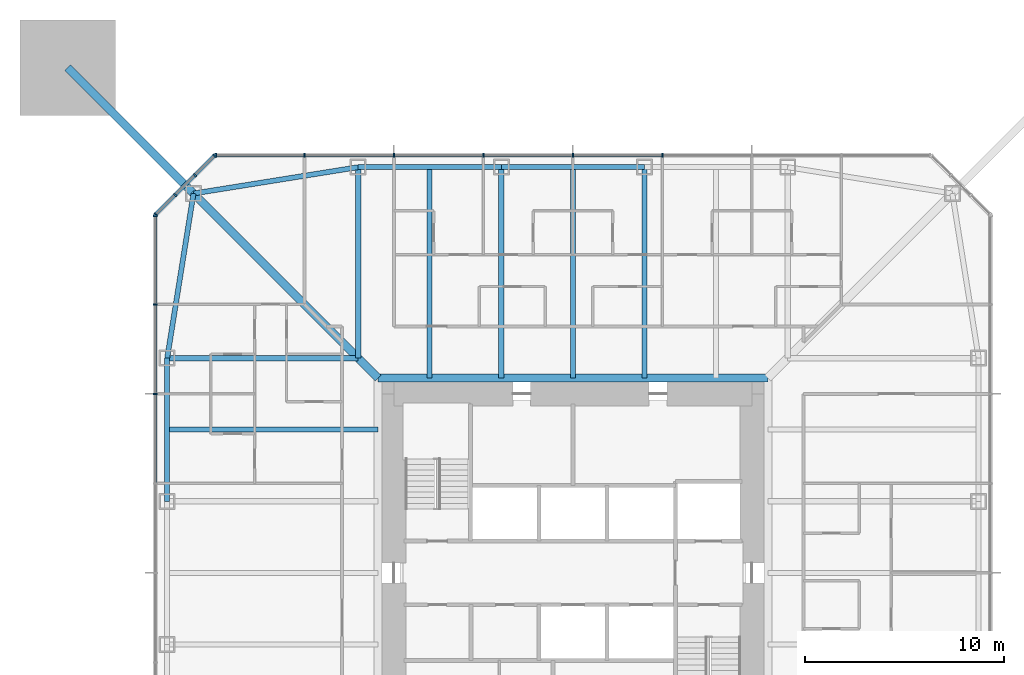
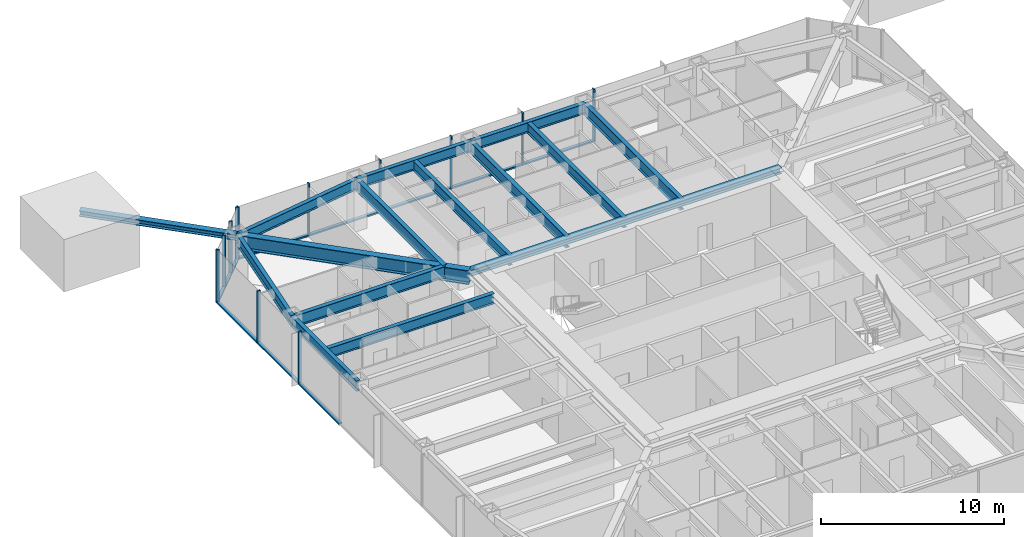
# One storey, part 4 of 23: 25 members, 14 beams, 3 elements without a shape of their own.
"""IFC4 building model written with IfcOpenShell, lengths in metres."""

from ifc_helpers import new_model, si_unit, direction, frame, origin, origin_2d, place, context, subcontext, project, spatial, rectangle, i_section, extrude, material, material_profile, profile_set, type_object, element, aggregate, save


model = new_model("IFC4")

# Units and contexts
model_context = context("Model", 3, precision=1e-05, world=origin(), true_north=direction((0.0, 1.0)))
body_context = subcontext(model_context, "Body", "Model", "MODEL_VIEW")
ifc_project = project(units=[si_unit("LENGTHUNIT", "METRE"), si_unit("AREAUNIT", "SQUARE_METRE"), si_unit("VOLUMEUNIT", "CUBIC_METRE"), si_unit("PLANEANGLEUNIT", "RADIAN"), si_unit("MASSUNIT", "GRAM", prefix="KILO")], contexts=[model_context])

# Site, building, storey
site_placement = place(None, origin())
site = spatial("IfcSite", under=ifc_project, at=site_placement, CompositionType="ELEMENT")
building_placement = place(site_placement, origin())
building = spatial("IfcBuilding", under=site, at=building_placement, Name="Iwan Alto Co-Living Towers", CompositionType="ELEMENT")
storey_placement = place(building_placement, frame((0.0, 0.0, 122.5)))
storey = spatial("IfcBuildingStorey", under=building, at=storey_placement, Name="L33", CompositionType="ELEMENT", Elevation=122.5)

# Curtain wall, members
ifc_material_1 = material(Name="Bronze aluminium unitised frame", Category="aluminium")
curtain_wall_type_1 = type_object("IfcCurtainWallType", Name="CURTAIN WALL CW-A", PredefinedType="NOTDEFINED", material=ifc_material_1)
curtain_wall_1_placement = place(storey_placement, origin())
curtain_wall_1 = element("IfcCurtainWall", 1, at=curtain_wall_1_placement, inside=storey, type_object=curtain_wall_type_1, Name="T1 curtain wall N L33", PredefinedType="NOTDEFINED")
ifc_material_2 = material(Name="Aluminium 6063-T6 bronze anodised", Category="aluminium")
ifc_material_profile_1 = material_profile(ifc_material_2, rectangle(XDim=0.199951171875, YDim=0.080078125, at=origin_2d()), Name="AL 80X200")
ifc_profile_set_1 = profile_set([ifc_material_profile_1], Name="Aluminium 6063-T6 bronze anodised")
member_type_1 = type_object("IfcMemberType", Name="CW-A MULLION 80X200", PredefinedType="MULLION", material=ifc_profile_set_1)
member_1_placement = place(storey_placement, frame((4.5, 21.0, 0.0), z_axis=(0.0, 0.0, 1.0), x_axis=(0.0, -1.0, 0.0)))
member_1 = element("IfcMember", 2, at=member_1_placement, type_object=member_type_1, Name="CW-A mullion 4", PredefinedType="MULLION", context=body_context, shape_type="SweptSolid", body=[
    extrude(rectangle(XDim=0.199951171875, YDim=0.080078125, at=origin_2d()), origin(), (0.0, 0.0, 1.0), 3.5),
])
member_2_placement = place(storey_placement, frame((0.0, 21.0, 0.0), z_axis=(0.0, 0.0, 1.0), x_axis=(0.0, -1.0, 0.0)))
member_2 = element("IfcMember", 3, at=member_2_placement, type_object=member_type_1, Name="CW-A mullion 5", PredefinedType="MULLION", context=body_context, shape_type="SweptSolid", body=[
    extrude(rectangle(XDim=0.199951171875, YDim=0.080078125, at=origin_2d()), origin(), (0.0, 0.0, 1.0), 3.5),
])
member_3_placement = place(storey_placement, frame((-4.5, 21.0, 0.0), z_axis=(0.0, 0.0, 1.0), x_axis=(0.0, -1.0, 0.0)))
member_3 = element("IfcMember", 4, at=member_3_placement, type_object=member_type_1, Name="CW-A mullion 6", PredefinedType="MULLION", context=body_context, shape_type="SweptSolid", body=[
    extrude(rectangle(XDim=0.199951171875, YDim=0.080078125, at=origin_2d()), origin(), (0.0, 0.0, 1.0), 3.5),
])
member_4_placement = place(storey_placement, frame((-9.0, 21.0, 0.0), z_axis=(0.0, 0.0, 1.0), x_axis=(0.0, -1.0, 0.0)))
member_4 = element("IfcMember", 5, at=member_4_placement, type_object=member_type_1, Name="CW-A mullion 7", PredefinedType="MULLION", context=body_context, shape_type="SweptSolid", body=[
    extrude(rectangle(XDim=0.199951171875, YDim=0.080078125, at=origin_2d()), origin(), (0.0, 0.0, 1.0), 3.5),
])
member_5_placement = place(storey_placement, frame((-13.5, 21.0, 0.0), z_axis=(0.0, 0.0, 1.0), x_axis=(0.0, -1.0, 0.0)))
member_5 = element("IfcMember", 6, at=member_5_placement, type_object=member_type_1, Name="CW-A mullion 8", PredefinedType="MULLION", context=body_context, shape_type="SweptSolid", body=[
    extrude(rectangle(XDim=0.199951171875, YDim=0.080078125, at=origin_2d()), origin(), (0.0, 0.0, 1.0), 3.5),
])
member_6_placement = place(storey_placement, frame((-17.9599609375, 21.0, 0.0), z_axis=(0.0, 0.0, 1.0), x_axis=(0.0, -1.0, 0.0)))
member_6 = element("IfcMember", 7, at=member_6_placement, type_object=member_type_1, Name="CW-A mullion 9", PredefinedType="MULLION", context=body_context, shape_type="SweptSolid", body=[
    extrude(rectangle(XDim=0.199951171875, YDim=0.080078125, at=origin_2d()), origin(), (0.0, 0.0, 1.0), 3.5),
])

curtain_wall_2_placement = place(storey_placement, origin())
curtain_wall_2 = element("IfcCurtainWall", 8, at=curtain_wall_2_placement, inside=storey, type_object=curtain_wall_type_1, Name="T1 curtain wall W L33", PredefinedType="NOTDEFINED")
member_7_placement = place(storey_placement, frame((-21.0, 17.9599609375, 0.0), z_axis=(0.0, 0.0, 1.0), x_axis=(1.0, 0.0, 0.0)))
member_7 = element("IfcMember", 9, at=member_7_placement, type_object=member_type_1, Name="CW-A mullion 1", PredefinedType="MULLION", context=body_context, shape_type="SweptSolid", body=[
    extrude(rectangle(XDim=0.199951171875, YDim=0.080078125, at=origin_2d()), origin(), (0.0, 0.0, 1.0), 3.5),
])
member_8_placement = place(storey_placement, frame((-21.0, 13.5, 0.0), z_axis=(0.0, 0.0, 1.0), x_axis=(1.0, 0.0, 0.0)))
member_8 = element("IfcMember", 10, at=member_8_placement, type_object=member_type_1, Name="CW-A mullion 2", PredefinedType="MULLION", context=body_context, shape_type="SweptSolid", body=[
    extrude(rectangle(XDim=0.199951171875, YDim=0.080078125, at=origin_2d()), origin(), (0.0, 0.0, 1.0), 3.5),
])
member_9_placement = place(storey_placement, frame((-21.0, 9.0, 0.0), z_axis=(0.0, 0.0, 1.0), x_axis=(1.0, 0.0, 0.0)))
member_9 = element("IfcMember", 11, at=member_9_placement, type_object=member_type_1, Name="CW-A mullion 3", PredefinedType="MULLION", context=body_context, shape_type="SweptSolid", body=[
    extrude(rectangle(XDim=0.199951171875, YDim=0.080078125, at=origin_2d()), origin(), (0.0, 0.0, 1.0), 3.5),
])

# Member
ifc_material_3 = material(Name="Aluminium 6063-T6 bronze anodised", Category="aluminium")
ifc_material_profile_2 = material_profile(ifc_material_3, rectangle(XDim=0.199951171875, YDim=0.10009765625, at=origin_2d()), Name="AL 200X100")
ifc_profile_set_2 = profile_set([ifc_material_profile_2], Name="Aluminium 6063-T6 bronze anodised")
member_type_2 = type_object("IfcMemberType", Name="CW-A TRANSOM 200X100", PredefinedType="USERDEFINED", material=ifc_profile_set_2)
member_10_placement = place(storey_placement, frame((4.4599609375, 21.0, 0.050048828125), z_axis=(-1.0, 0.0, 0.0), x_axis=(0.0, -1.0, 0.0)))
member_10 = element("IfcMember", 12, at=member_10_placement, type_object=member_type_2, Name="CW-A transom 4.1", ObjectType="TRANSOM", PredefinedType="USERDEFINED", context=body_context, shape_type="SweptSolid", body=[
    extrude(rectangle(XDim=0.199951171875, YDim=0.10009765625, at=origin_2d()), origin(), (0.0, 0.0, 1.0), 4.419921875),
])

member_11_placement = place(storey_placement, frame((-0.0400390625, 21.0, 0.050048828125), z_axis=(-1.0, 0.0, 0.0), x_axis=(0.0, -1.0, 0.0)))
member_11 = element("IfcMember", 13, at=member_11_placement, type_object=member_type_2, Name="CW-A transom 5.1", ObjectType="TRANSOM", PredefinedType="USERDEFINED", context=body_context, shape_type="SweptSolid", body=[
    extrude(rectangle(XDim=0.199951171875, YDim=0.10009765625, at=origin_2d()), origin(), (0.0, 0.0, 1.0), 4.419921875),
])

member_12_placement = place(storey_placement, frame((-4.5400390625, 21.0, 0.050048828125), z_axis=(-1.0, 0.0, 0.0), x_axis=(0.0, -1.0, 0.0)))
member_12 = element("IfcMember", 14, at=member_12_placement, type_object=member_type_2, Name="CW-A transom 6.1", ObjectType="TRANSOM", PredefinedType="USERDEFINED", context=body_context, shape_type="SweptSolid", body=[
    extrude(rectangle(XDim=0.199951171875, YDim=0.10009765625, at=origin_2d()), origin(), (0.0, 0.0, 1.0), 4.419921875),
])

member_13_placement = place(storey_placement, frame((-9.0400390625, 21.0, 0.050048828125), z_axis=(-1.0, 0.0, 0.0), x_axis=(0.0, -1.0, 0.0)))
member_13 = element("IfcMember", 15, at=member_13_placement, type_object=member_type_2, Name="CW-A transom 7.1", ObjectType="TRANSOM", PredefinedType="USERDEFINED", context=body_context, shape_type="SweptSolid", body=[
    extrude(rectangle(XDim=0.199951171875, YDim=0.10009765625, at=origin_2d()), origin(), (0.0, 0.0, 1.0), 4.419921875),
])

member_14_placement = place(storey_placement, frame((-13.5400390625, 21.0, 0.050048828125), z_axis=(-1.0, 0.0, 0.0), x_axis=(0.0, -1.0, 0.0)))
member_14 = element("IfcMember", 16, at=member_14_placement, type_object=member_type_2, Name="CW-A transom 8.1", ObjectType="TRANSOM", PredefinedType="USERDEFINED", context=body_context, shape_type="SweptSolid", body=[
    extrude(rectangle(XDim=0.199951171875, YDim=0.10009765625, at=origin_2d()), origin(), (0.0, 0.0, 1.0), 4.3798828125),
])

aggregate(curtain_wall_1, [member_1, member_2, member_3, member_4, member_5, member_6, member_10, member_11, member_12, member_13, member_14])

member_15_placement = place(storey_placement, frame((-21.0, 17.919921875, 0.050048828125), z_axis=(0.0, -1.0, 0.0), x_axis=(1.0, 0.0, 0.0)))
member_15 = element("IfcMember", 17, at=member_15_placement, type_object=member_type_2, Name="CW-A transom 1.1", ObjectType="TRANSOM", PredefinedType="USERDEFINED", context=body_context, shape_type="SweptSolid", body=[
    extrude(rectangle(XDim=0.199951171875, YDim=0.10009765625, at=origin_2d()), origin(), (0.0, 0.0, 1.0), 4.3798828125),
])

member_16_placement = place(storey_placement, frame((-21.0, 13.4599609375, 0.050048828125), z_axis=(0.0, -1.0, 0.0), x_axis=(1.0, 0.0, 0.0)))
member_16 = element("IfcMember", 18, at=member_16_placement, type_object=member_type_2, Name="CW-A transom 2.1", ObjectType="TRANSOM", PredefinedType="USERDEFINED", context=body_context, shape_type="SweptSolid", body=[
    extrude(rectangle(XDim=0.199951171875, YDim=0.10009765625, at=origin_2d()), origin(), (0.0, 0.0, 1.0), 4.419921875),
])

member_17_placement = place(storey_placement, frame((-21.0, 8.9599609375, 0.050048828125), z_axis=(0.0, -1.0, 0.0), x_axis=(1.0, 0.0, 0.0)))
member_17 = element("IfcMember", 19, at=member_17_placement, type_object=member_type_2, Name="CW-A transom 3.1", ObjectType="TRANSOM", PredefinedType="USERDEFINED", context=body_context, shape_type="SweptSolid", body=[
    extrude(rectangle(XDim=0.199951171875, YDim=0.10009765625, at=origin_2d()), origin(), (0.0, 0.0, 1.0), 4.419921875),
])

aggregate(curtain_wall_2, [member_7, member_8, member_9, member_15, member_16, member_17])

# Curtain wall, members
ifc_material_4 = material(Name="Bronze aluminium unitised frame", Category="aluminium")
curtain_wall_type_2 = type_object("IfcCurtainWallType", Name="CURTAIN WALL CW-B", PredefinedType="NOTDEFINED", material=ifc_material_4)
curtain_wall_3_placement = place(storey_placement, origin())
curtain_wall_3 = element("IfcCurtainWall", 20, at=curtain_wall_3_placement, inside=storey, type_object=curtain_wall_type_2, Name="T1 chamfer curtain wall NW L33", PredefinedType="NOTDEFINED")
ifc_material_5 = material(Name="Aluminium 6063-T6 bronze anodised", Category="aluminium")
ifc_material_profile_3 = material_profile(ifc_material_5, rectangle(XDim=0.199951171875, YDim=0.080078125, at=origin_2d()), Name="AL 80X200")
ifc_profile_set_3 = profile_set([ifc_material_profile_3], Name="Aluminium 6063-T6 bronze anodised")
member_type_3 = type_object("IfcMemberType", Name="CW-B MULLION 80X200", PredefinedType="MULLION", material=ifc_profile_set_3)
member_18_placement = place(storey_placement, frame((-18.0283203125, 20.9716796875, 0.0), z_axis=(0.0, 0.0, 1.0), x_axis=(0.707106781187, -0.707106781187, 0.0)))
member_18 = element("IfcMember", 21, at=member_18_placement, type_object=member_type_3, Name="CW-B mullion 1", PredefinedType="MULLION", context=body_context, shape_type="SweptSolid", body=[
    extrude(rectangle(XDim=0.199951171875, YDim=0.080078125, at=origin_2d()), origin(), (0.0, 0.0, 1.0), 3.5),
])
member_19_placement = place(storey_placement, frame((-19.0, 20.0, 0.0), z_axis=(0.0, 0.0, 1.0), x_axis=(0.707106781187, -0.707106781187, 0.0)))
member_19 = element("IfcMember", 22, at=member_19_placement, type_object=member_type_3, Name="CW-B mullion 2", PredefinedType="MULLION", context=body_context, shape_type="SweptSolid", body=[
    extrude(rectangle(XDim=0.199951171875, YDim=0.080078125, at=origin_2d()), origin(), (0.0, 0.0, 1.0), 3.5),
])
member_20_placement = place(storey_placement, frame((-20.0, 19.0, 0.0), z_axis=(0.0, 0.0, 1.0), x_axis=(0.707106781187, -0.707106781187, 0.0)))
member_20 = element("IfcMember", 23, at=member_20_placement, type_object=member_type_3, Name="CW-B mullion 3", PredefinedType="MULLION", context=body_context, shape_type="SweptSolid", body=[
    extrude(rectangle(XDim=0.199951171875, YDim=0.080078125, at=origin_2d()), origin(), (0.0, 0.0, 1.0), 3.5),
])
member_21_placement = place(storey_placement, frame((-20.9716796875, 18.0283203125, 0.0), z_axis=(0.0, 0.0, 1.0), x_axis=(0.707106781187, -0.707106781187, 0.0)))
member_21 = element("IfcMember", 24, at=member_21_placement, type_object=member_type_3, Name="CW-B mullion 4", PredefinedType="MULLION", context=body_context, shape_type="SweptSolid", body=[
    extrude(rectangle(XDim=0.199951171875, YDim=0.080078125, at=origin_2d()), origin(), (0.0, 0.0, 1.0), 3.5),
])
ifc_material_6 = material(Name="Aluminium 6063-T6 bronze anodised", Category="aluminium")
ifc_material_profile_4 = material_profile(ifc_material_6, rectangle(XDim=0.199951171875, YDim=0.10009765625, at=origin_2d()), Name="AL 200X100")
ifc_profile_set_4 = profile_set([ifc_material_profile_4], Name="Aluminium 6063-T6 bronze anodised")
member_type_4 = type_object("IfcMemberType", Name="CW-B TRANSOM 200X100", PredefinedType="USERDEFINED", material=ifc_profile_set_4)
member_22_placement = place(storey_placement, frame((-18.056640625, 20.943359375, 0.050048828125), z_axis=(-0.707106781187, -0.707106781187, 0.0), x_axis=(0.707106781187, -0.707106781187, 0.0)))
member_22 = element("IfcMember", 25, at=member_22_placement, type_object=member_type_4, Name="CW-B transom 1.1", ObjectType="TRANSOM", PredefinedType="USERDEFINED", context=body_context, shape_type="SweptSolid", body=[
    extrude(rectangle(XDim=0.199951171875, YDim=0.10009765625, at=origin_2d()), origin(), (0.0, 0.0, 1.0), 1.2939453125),
])
member_23_placement = place(storey_placement, frame((-19.0283203125, 19.9716796875, 0.050048828125), z_axis=(-0.707106781187, -0.707106781187, 0.0), x_axis=(0.707106781187, -0.707106781187, 0.0)))
member_23 = element("IfcMember", 26, at=member_23_placement, type_object=member_type_4, Name="CW-B transom 2.1", ObjectType="TRANSOM", PredefinedType="USERDEFINED", context=body_context, shape_type="SweptSolid", body=[
    extrude(rectangle(XDim=0.199951171875, YDim=0.10009765625, at=origin_2d()), origin(), (0.0, 0.0, 1.0), 1.334228515625),
])
member_24_placement = place(storey_placement, frame((-20.0283203125, 18.9716796875, 0.050048828125), z_axis=(-0.707106781187, -0.707106781187, 0.0), x_axis=(0.707106781187, -0.707106781187, 0.0)))
member_24 = element("IfcMember", 27, at=member_24_placement, type_object=member_type_4, Name="CW-B transom 3.1", ObjectType="TRANSOM", PredefinedType="USERDEFINED", context=body_context, shape_type="SweptSolid", body=[
    extrude(rectangle(XDim=0.199951171875, YDim=0.10009765625, at=origin_2d()), origin(), (0.0, 0.0, 1.0), 1.2939453125),
])
aggregate(curtain_wall_3, [member_18, member_19, member_20, member_21, member_22, member_23, member_24])

# Beams
ifc_material_7 = material(Name="Steel ASTM A992 Gr 50", Category="steel")
ifc_material_profile_5 = material_profile(ifc_material_7, i_section(OverallWidth=0.398681640625, OverallDepth=0.385986328125, WebThickness=0.02099609375, FlangeThickness=0.033203125, at=origin_2d()), Name="W14X176")
ifc_profile_set_5 = profile_set([ifc_material_profile_5], Name="Steel ASTM A992 Gr 50")
beam_type_1 = type_object("IfcBeamType", Name="T1 CORE LEDGER BEAM W14X176", PredefinedType="BEAM", material=ifc_profile_set_5)
beam_1_placement = place(storey_placement, frame((9.79931640625, 9.79931640625, 3.076904296875), z_axis=(-1.0, 0.0, 0.0), x_axis=(0.0, -1.0, 0.0)))
element("IfcBeam", 28, at=beam_1_placement, inside=storey, type_object=beam_type_1, Name="T1 core ledger beam N L34", PredefinedType="BEAM", context=body_context, shape_type="SweptSolid", body=[
    extrude(i_section(OverallWidth=0.398681640625, OverallDepth=0.385986328125, WebThickness=0.02099609375, FlangeThickness=0.033203125, at=origin_2d()), origin(), (0.0, 0.0, 1.0), 19.5986328125),
])
ifc_material_8 = material(Name="Steel ASTM A992 Gr 50", Category="steel")
ifc_material_profile_6 = material_profile(ifc_material_8, i_section(OverallWidth=0.419189453125, OverallDepth=0.927001953125, WebThickness=0.019287109375, FlangeThickness=0.031982421875, at=origin_2d()), Name="W36X231")
ifc_profile_set_6 = profile_set([ifc_material_profile_6], Name="Steel ASTM A992 Gr 50")
beam_type_2 = type_object("IfcBeamType", Name="T1 CORNER GIRDER W36X231", PredefinedType="BEAM", material=ifc_profile_set_6)
beam_2_placement = place(storey_placement, frame((-19.07568359375, 19.07568359375, 2.806396484375), z_axis=(0.707106781187, -0.707106781187, 0.0), x_axis=(0.707106781187, 0.707106781187, 0.0)))
element("IfcBeam", 29, at=beam_2_placement, inside=storey, type_object=beam_type_2, Name="T1 corner girder CNW L34", PredefinedType="BEAM", context=body_context, shape_type="SweptSolid", body=[
    extrude(i_section(OverallWidth=0.419189453125, OverallDepth=0.927001953125, WebThickness=0.019287109375, FlangeThickness=0.031982421875, at=origin_2d()), origin(), (0.0, 0.0, 1.0), 13.11865234375),
])
ifc_material_9 = material(Name="Steel ASTM A992 Gr 50", Category="steel")
ifc_material_profile_7 = material_profile(ifc_material_9, i_section(OverallWidth=0.25390625, OverallDepth=0.683349609375, WebThickness=0.012451171875, FlangeThickness=0.018798828125, at=origin_2d()), Name="W27X94")
ifc_profile_set_7 = profile_set([ifc_material_profile_7], Name="Steel ASTM A992 Gr 50")
beam_type_3 = type_object("IfcBeamType", Name="T1 EDGE BEAM W27X94", PredefinedType="BEAM", material=ifc_profile_set_7)
beam_3_placement = place(storey_placement, frame((3.60009765625, 20.39990234375, 2.928466796875), z_axis=(-1.0, 0.0, 0.0), x_axis=(0.0, -1.0, 0.0)))
element("IfcBeam", 30, at=beam_3_placement, inside=storey, type_object=beam_type_3, Name="T1 edge beam N2 L34", PredefinedType="BEAM", context=body_context, shape_type="SweptSolid", body=[
    extrude(i_section(OverallWidth=0.25390625, OverallDepth=0.683349609375, WebThickness=0.012451171875, FlangeThickness=0.018798828125, at=origin_2d()), origin(), (0.0, 0.0, 1.0), 7.2001953125),
])
beam_4_placement = place(storey_placement, frame((-3.60009765625, 20.39990234375, 2.928466796875), z_axis=(-1.0, 0.0, 0.0), x_axis=(0.0, -1.0, 0.0)))
element("IfcBeam", 31, at=beam_4_placement, inside=storey, type_object=beam_type_3, Name="T1 edge beam N3 L34", PredefinedType="BEAM", context=body_context, shape_type="SweptSolid", body=[
    extrude(i_section(OverallWidth=0.25390625, OverallDepth=0.683349609375, WebThickness=0.012451171875, FlangeThickness=0.018798828125, at=origin_2d()), origin(), (0.0, 0.0, 1.0), 7.199951171875),
])
for number, where, z_axis, x_axis, name in (
    (32, (-10.800048828125, 20.39990234375, 2.928466796875), (-0.987438450439, -0.158004134737, 0.0), (0.158004134737, -0.987438450439, 0.0), "T1 edge beam N4 L34"),
    (33, (-19.07568359375, 19.07568359375, 2.928466796875), (-0.158004134737, -0.987438450439, 0.0), (0.987438450439, -0.158004134737, 0.0), "T1 edge beam CNW L34"),
):
    element("IfcBeam", number, at=place(storey_placement, frame(where, z_axis=z_axis, x_axis=x_axis)), inside=storey, type_object=beam_type_3, Name=name, PredefinedType="BEAM", context=body_context, shape_type="SweptSolid", body=[
        extrude(i_section(OverallWidth=0.25390625, OverallDepth=0.683349609375, WebThickness=0.012451171875, FlangeThickness=0.018798828125, at=origin_2d()), origin(), (0.0, 0.0, 1.0), 8.380859375),
    ])
beam_5_placement = place(storey_placement, frame((-20.39990234375, 10.800048828125, 2.928466796875), z_axis=(0.0, -1.0, 0.0), x_axis=(1.0, 0.0, 0.0)))
element("IfcBeam", 34, at=beam_5_placement, inside=storey, type_object=beam_type_3, Name="T1 edge beam W1 L34", PredefinedType="BEAM", context=body_context, shape_type="SweptSolid", body=[
    extrude(i_section(OverallWidth=0.25390625, OverallDepth=0.683349609375, WebThickness=0.012451171875, FlangeThickness=0.018798828125, at=origin_2d()), origin(), (0.0, 0.0, 1.0), 7.199951171875),
])

# Member
ifc_material_10 = material(Name="Steel ASTM A992 Gr 50", Category="steel")
ifc_material_profile_8 = material_profile(ifc_material_10, i_section(OverallWidth=0.393798828125, OverallDepth=0.3759765625, WebThickness=0.017333984375, FlangeThickness=0.027587890625, at=origin_2d()), Name="W14X145")
ifc_profile_set_8 = profile_set([ifc_material_profile_8], Name="Steel ASTM A992 Gr 50")
member_type_5 = type_object("IfcMemberType", Name="T1 MEGA COLUMN FLOOR TIE W14X145", PredefinedType="STRUT", material=ifc_profile_set_8)
member_25_placement = place(storey_placement, frame((-25.39990234375, 25.39990234375, 3.08203125), z_axis=(0.707106781187, -0.707106781187, 0.0), x_axis=(0.707106781187, 0.707106781187, 0.0)))
element("IfcMember", 35, at=member_25_placement, inside=storey, type_object=member_type_5, Name="T1 mega column floor tie NW L34", PredefinedType="STRUT", context=body_context, shape_type="SweptSolid", body=[
    extrude(i_section(OverallWidth=0.393798828125, OverallDepth=0.3759765625, WebThickness=0.017333984375, FlangeThickness=0.027587890625, at=origin_2d()), origin(), (0.0, 0.0, 1.0), 8.94384765625),
])

# Beams
ifc_material_11 = material(Name="Steel ASTM A992 Gr 50", Category="steel")
ifc_material_profile_9 = material_profile(ifc_material_11, i_section(OverallWidth=0.2666015625, OverallDepth=0.761962890625, WebThickness=0.014404296875, FlangeThickness=0.021484375, at=origin_2d()), Name="W30X116")
ifc_profile_set_9 = profile_set([ifc_material_profile_9], Name="Steel ASTM A992 Gr 50")
beam_type_4 = type_object("IfcBeamType", Name="T1 RADIAL BEAM W30X116", PredefinedType="BEAM", material=ifc_profile_set_9)
for number, where, z_axis, x_axis, name in (
    (36, (3.60009765625, 20.39990234375, 2.888916015625), (0.0, -1.0, 0.0), (1.0, 0.0, 0.0), "T1 radial beam N2 L34"),
    (37, (-3.60009765625, 20.39990234375, 2.888916015625), (0.0, -1.0, 0.0), (1.0, 0.0, 0.0), "T1 radial beam N3 L34"),
):
    element("IfcBeam", number, at=place(storey_placement, frame(where, z_axis=z_axis, x_axis=x_axis)), inside=storey, type_object=beam_type_4, Name=name, PredefinedType="BEAM", context=body_context, shape_type="SweptSolid", body=[
        extrude(i_section(OverallWidth=0.2666015625, OverallDepth=0.761962890625, WebThickness=0.014404296875, FlangeThickness=0.021484375, at=origin_2d()), origin(), (0.0, 0.0, 1.0), 10.6005859375),
    ])
for number, where, z_axis, x_axis, name in (
    (38, (-10.800048828125, 20.39990234375, 2.888916015625), (0.0, -1.0, 0.0), (1.0, 0.0, 0.0), "T1 radial beam N4 L34"),
    (39, (-20.39990234375, 10.800048828125, 2.888916015625), (1.0, 0.0, 0.0), (0.0, 1.0, 0.0), "T1 radial beam W1 L34"),
):
    element("IfcBeam", number, at=place(storey_placement, frame(where, z_axis=z_axis, x_axis=x_axis)), inside=storey, type_object=beam_type_4, Name=name, PredefinedType="BEAM", context=body_context, shape_type="SweptSolid", body=[
        extrude(i_section(OverallWidth=0.2666015625, OverallDepth=0.761962890625, WebThickness=0.014404296875, FlangeThickness=0.021484375, at=origin_2d()), origin(), (0.0, 0.0, 1.0), 9.599853515625),
    ])
ifc_material_12 = material(Name="Steel ASTM A992 Gr 50", Category="steel")
ifc_material_profile_10 = material_profile(ifc_material_12, i_section(OverallWidth=0.25390625, OverallDepth=0.683349609375, WebThickness=0.012451171875, FlangeThickness=0.018798828125, at=origin_2d()), Name="W27X94")
ifc_profile_set_10 = profile_set([ifc_material_profile_10], Name="Steel ASTM A992 Gr 50")
beam_type_5 = type_object("IfcBeamType", Name="T1 SECONDARY BEAM W27X94", PredefinedType="JOIST", material=ifc_profile_set_10)
for number, where, z_axis, x_axis, name in (
    (40, (0.0, 20.39990234375, 2.928466796875), (0.0, -1.0, 0.0), (1.0, 0.0, 0.0), "T1 secondary beam N2 L34"),
    (41, (-7.199951171875, 20.39990234375, 2.928466796875), (0.0, -1.0, 0.0), (1.0, 0.0, 0.0), "T1 secondary beam N3 L34"),
    (42, (-20.39990234375, 7.199951171875, 2.928466796875), (1.0, 0.0, 0.0), (0.0, 1.0, 0.0), "T1 secondary beam W1 L34"),
):
    element("IfcBeam", number, at=place(storey_placement, frame(where, z_axis=z_axis, x_axis=x_axis)), inside=storey, type_object=beam_type_5, Name=name, PredefinedType="JOIST", context=body_context, shape_type="SweptSolid", body=[
        extrude(i_section(OverallWidth=0.25390625, OverallDepth=0.683349609375, WebThickness=0.012451171875, FlangeThickness=0.018798828125, at=origin_2d()), origin(), (0.0, 0.0, 1.0), 10.6005859375),
    ])

save(model, "model.ifc")
